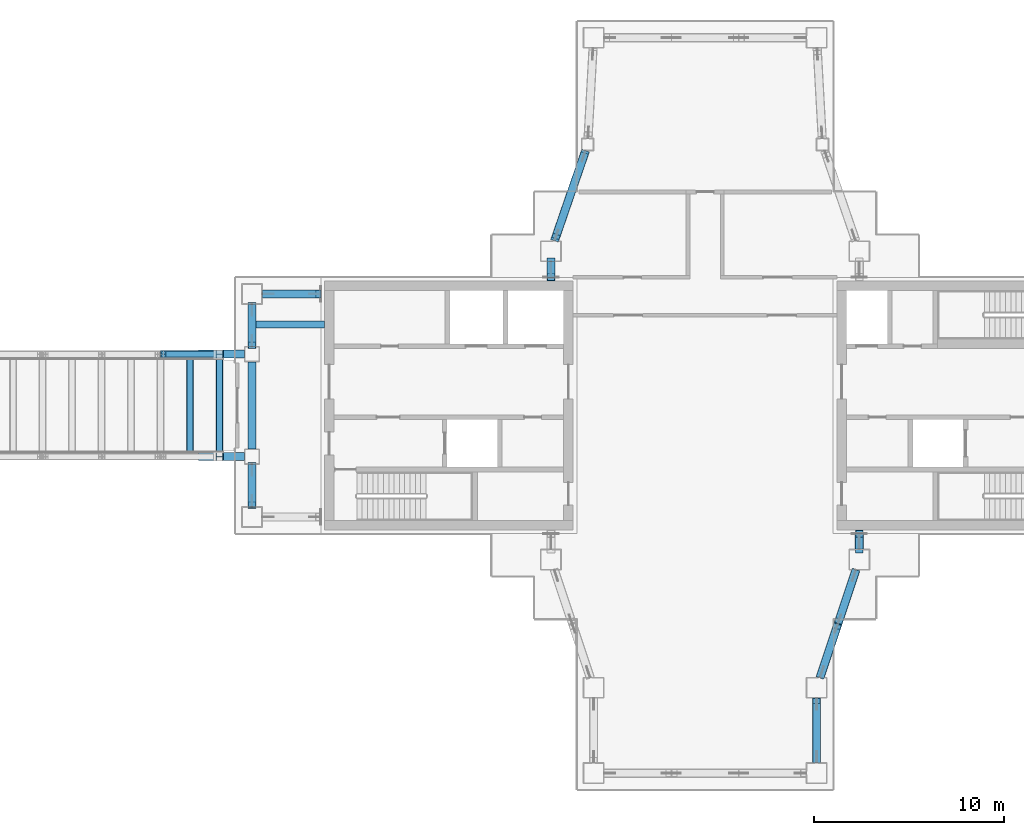
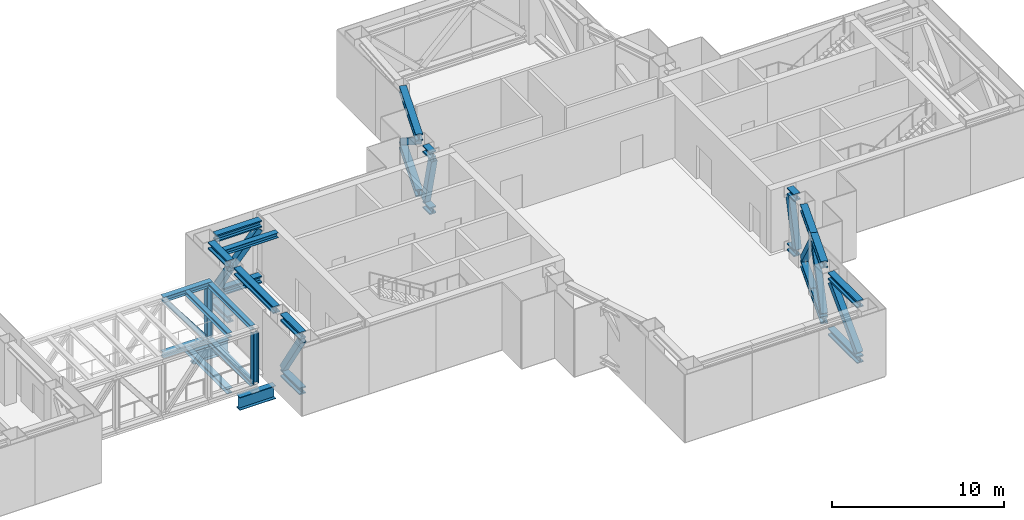
# One storey, part 6 of 21: 35 members, 5 beams.
"""IFC4 building model written with IfcOpenShell, lengths in metres."""

from ifc_helpers import new_model, si_unit, direction, frame, origin, origin_2d, place, context, subcontext, project, spatial, hollow_rectangle, i_section, extrude, material, material_profile, profile_set, type_object, element, save


model = new_model("IFC4")

# Units and contexts
model_context = context("Model", 3, precision=1e-05, world=origin(), true_north=direction((0.0, 1.0)))
body_context = subcontext(model_context, "Body", "Model", "MODEL_VIEW")
ifc_project = project(units=[si_unit("LENGTHUNIT", "METRE"), si_unit("AREAUNIT", "SQUARE_METRE"), si_unit("VOLUMEUNIT", "CUBIC_METRE"), si_unit("PLANEANGLEUNIT", "RADIAN"), si_unit("MASSUNIT", "GRAM", prefix="KILO")], contexts=[model_context])

# Site, building, storey
site_placement = place(None, origin())
site = spatial("IfcSite", under=ifc_project, at=site_placement, CompositionType="ELEMENT")
building_placement = place(site_placement, origin())
building = spatial("IfcBuilding", under=site, at=building_placement, Name="Shamsa Quay Exchange Towers", CompositionType="ELEMENT")
storey_placement = place(building_placement, frame((0.0, 0.0, 177.89990234375)))
storey = spatial("IfcBuildingStorey", under=building, at=storey_placement, Name="L42", CompositionType="ELEMENT", Elevation=177.89990234375)

# Members
ifc_material = material(Name="Steel S355", Category="steel")
ifc_material_profile_1 = material_profile(ifc_material, i_section(OverallWidth=0.418212890625, OverallDepth=0.9267578125, WebThickness=0.019287109375, FlangeThickness=0.031982421875, at=origin_2d()), Name="W36x231")
ifc_profile_set_1 = profile_set([ifc_material_profile_1], Name="Steel S355")
member_type_1 = type_object("IfcMemberType", Name="Bearing seat W36x231", PredefinedType="USERDEFINED", material=ifc_profile_set_1)
for number, where, z_axis, x_axis, name in (
    (1, (7.050048828125, -2.699951171875, -1.18115234375), (1.0, 0.0, 0.0), (0.0, 1.0, 0.0), "Bearing seat BR3 T2 S"),
    (2, (7.050048828125, 2.699951171875, -1.18115234375), (1.0, 0.0, 0.0), (0.0, 1.0, 0.0), "Bearing seat BR3 T2 N"),
):
    element("IfcMember", number, at=place(storey_placement, frame(where, z_axis=z_axis, x_axis=x_axis)), inside=storey, type_object=member_type_1, Name=name, ObjectType="BEARING SEAT", PredefinedType="USERDEFINED", context=body_context, shape_type="SweptSolid", body=[
        extrude(i_section(OverallWidth=0.418212890625, OverallDepth=0.9267578125, WebThickness=0.019287109375, FlangeThickness=0.031982421875, at=origin_2d()), origin(), (0.0, 0.0, 1.0), 2.425048828125),
    ])
ifc_material_profile_2 = material_profile(ifc_material, i_section(OverallWidth=0.43212890625, OverallDepth=0.497802734375, WebThickness=0.0556640625, FlangeThickness=0.0888671875, at=origin_2d()), Name="W14x500")
ifc_profile_set_2 = profile_set([ifc_material_profile_2], Name="Steel S355")
member_type_2 = type_object("IfcMemberType", Name="Belt chord W14x500", PredefinedType="CHORD", material=ifc_profile_set_2)
for number, where, z_axis, x_axis, name in (
    (3, (39.625, -18.824951171875, 4.201171875), (0.0, 1.0, 0.0), (-1.0, 0.0, 0.0), "Belt truss chord T2 L42 6"),
    (4, (39.625, -18.824951171875, 0.2490234375), (0.0, 1.0, 0.0), (-1.0, 0.0, 0.0), "Belt truss chord T2 L42 6"),
):
    element("IfcMember", number, at=place(storey_placement, frame(where, z_axis=z_axis, x_axis=x_axis)), inside=storey, type_object=member_type_2, Name=name, PredefinedType="CHORD", context=body_context, shape_type="SweptSolid", body=[
        extrude(i_section(OverallWidth=0.43212890625, OverallDepth=0.497802734375, WebThickness=0.0556640625, FlangeThickness=0.0888671875, at=origin_2d()), origin(), (0.0, 0.0, 1.0), 3.39990234375),
    ])
for number, where, z_axis, x_axis, name in (
    (5, (39.808349609375, -14.324951171875, 4.201171875), (0.316227766017, 0.948683298051, 0.0), (-0.948683298051, 0.316227766017, 0.0), "Belt truss chord T2 L42 7"),
    (6, (39.808349609375, -14.324951171875, 0.2490234375), (0.316227766017, 0.948683298051, 0.0), (-0.948683298051, 0.316227766017, 0.0), "Belt truss chord T2 L42 7"),
    (7, (40.75, -11.5, 4.201171875), (0.316227766017, 0.948683298051, 0.0), (-0.948683298051, 0.316227766017, 0.0), "Belt truss chord T2 L42 7"),
    (8, (40.75, -11.5, 0.2490234375), (0.316227766017, 0.948683298051, 0.0), (-0.948683298051, 0.316227766017, 0.0), "Belt truss chord T2 L42 7"),
):
    element("IfcMember", number, at=place(storey_placement, frame(where, z_axis=z_axis, x_axis=x_axis)), inside=storey, type_object=member_type_2, Name=name, PredefinedType="CHORD", context=body_context, shape_type="SweptSolid", body=[
        extrude(i_section(OverallWidth=0.43212890625, OverallDepth=0.497802734375, WebThickness=0.0556640625, FlangeThickness=0.0888671875, at=origin_2d()), origin(), (0.0, 0.0, 1.0), 2.977783203125),
    ])
for number, where, z_axis, x_axis, name in (
    (9, (27.450439453125, 13.425048828125, 4.201171875), (-0.325644702395, -0.945492214565, 0.0), (0.945492214565, -0.325644702395, 0.0), "Belt truss chord T2 L42 17"),
    (10, (27.450439453125, 13.425048828125, 0.2490234375), (-0.325644702395, -0.945492214565, 0.0), (0.945492214565, -0.325644702395, 0.0), "Belt truss chord T2 L42 17"),
):
    element("IfcMember", number, at=place(storey_placement, frame(where, z_axis=z_axis, x_axis=x_axis)), inside=storey, type_object=member_type_2, Name=name, PredefinedType="CHORD", context=body_context, shape_type="SweptSolid", body=[
        extrude(i_section(OverallWidth=0.43212890625, OverallDepth=0.497802734375, WebThickness=0.0556640625, FlangeThickness=0.0888671875, at=origin_2d()), origin(), (0.0, 0.0, 1.0), 5.02392578125),
    ])
for number, where, z_axis, x_axis, name in (
    (11, (9.875, 5.324951171875, 4.201171875), (0.0, -1.0, 0.0), (1.0, 0.0, 0.0), "Belt truss chord T2 L42 20"),
    (12, (9.875, 5.324951171875, 0.2490234375), (0.0, -1.0, 0.0), (1.0, 0.0, 0.0), "Belt truss chord T2 L42 20"),
    (13, (9.875, -3.10009765625, 4.201171875), (0.0, -1.0, 0.0), (1.0, 0.0, 0.0), "Belt truss chord T2 L42 21"),
    (14, (9.875, -3.10009765625, 0.2490234375), (0.0, -1.0, 0.0), (1.0, 0.0, 0.0), "Belt truss chord T2 L42 21"),
):
    element("IfcMember", number, at=place(storey_placement, frame(where, z_axis=z_axis, x_axis=x_axis)), inside=storey, type_object=member_type_2, Name=name, PredefinedType="CHORD", context=body_context, shape_type="SweptSolid", body=[
        extrude(i_section(OverallWidth=0.43212890625, OverallDepth=0.497802734375, WebThickness=0.0556640625, FlangeThickness=0.0888671875, at=origin_2d()), origin(), (0.0, 0.0, 1.0), 2.224853515625),
    ])
member_1_placement = place(storey_placement, frame((9.875, -2.300048828125, 4.201171875), z_axis=(0.0, 1.0, 0.0), x_axis=(-1.0, 0.0, 0.0)))
element("IfcMember", 15, at=member_1_placement, inside=storey, type_object=member_type_2, Name="Belt truss chord T2 L42 22", PredefinedType="CHORD", context=body_context, shape_type="SweptSolid", body=[
    extrude(i_section(OverallWidth=0.43212890625, OverallDepth=0.497802734375, WebThickness=0.0556640625, FlangeThickness=0.0888671875, at=origin_2d()), origin(), (0.0, 0.0, 1.0), 4.60009765625),
])
ifc_material_profile_3 = material_profile(ifc_material, hollow_rectangle(XDim=0.406494140625, YDim=0.406494140625, WallThickness=0.015869140625, at=origin_2d()), Name="HSS16x16x5/8")
ifc_profile_set_3 = profile_set([ifc_material_profile_3], Name="Steel S355")
member_type_3 = type_object("IfcMemberType", Name="Belt diagonal HSS16x16x5/8", PredefinedType="BRACE", material=ifc_profile_set_3)
member_2_placement = place(storey_placement, frame((39.625, -18.684814453125, 0.640380859375), z_axis=(0.0, 0.701485026186, 0.712684192358), x_axis=(-1.0, 0.0, 0.0)))
element("IfcMember", 16, at=member_2_placement, inside=storey, type_object=member_type_3, Name="Belt truss diagonal T2 L42 6", PredefinedType="BRACE", context=body_context, shape_type="SweptSolid", body=[
    extrude(hollow_rectangle(XDim=0.406494140625, YDim=0.406494140625, WallThickness=0.015869140625, at=origin_2d()), origin(), (0.0, 0.0, 1.0), 4.447265625),
])
for number, where, z_axis, x_axis, name in (
    (17, (39.844482421875, -14.216552734375, 0.630615234375), (0.206483170134, 0.619449510403, 0.757394880173), (-0.948683298051, 0.316227766017, 0.0), "Belt truss diagonal T2 L42 7"),
    (18, (41.655517578125, -8.783447265625, 0.630615234375), (-0.206483170134, -0.619449510403, 0.757394880173), (0.948683298051, -0.316227766017, 0.0), "Belt truss diagonal T2 L42 7"),
):
    element("IfcMember", number, at=place(storey_placement, frame(where, z_axis=z_axis, x_axis=x_axis)), inside=storey, type_object=member_type_3, Name=name, PredefinedType="BRACE", context=body_context, shape_type="SweptSolid", body=[
        extrude(hollow_rectangle(XDim=0.406494140625, YDim=0.406494140625, WallThickness=0.015869140625, at=origin_2d()), origin(), (0.0, 0.0, 1.0), 4.21044921875),
    ])
member_3_placement = place(storey_placement, frame((27.371337890625, 13.19482421875, 0.665283203125), z_axis=(-0.268353303988, -0.779075933751, 0.566592617044), x_axis=(0.945482725754, -0.325672251352, 0.0)))
element("IfcMember", 19, at=member_3_placement, inside=storey, type_object=member_type_3, Name="Belt truss diagonal T2 L42 17", PredefinedType="BRACE", context=body_context, shape_type="SweptSolid", body=[
    extrude(hollow_rectangle(XDim=0.406494140625, YDim=0.406494140625, WallThickness=0.015869140625, at=origin_2d()), origin(), (0.0, 0.0, 1.0), 5.505859375),
])
for number, where, z_axis, x_axis, name in (
    (20, (9.875, 5.254150390625, 0.60791015625), (0.0, -0.541495064821, 0.840703928131), (1.0, 0.0, 0.0), "Belt truss diagonal T2 L42 20"),
    (21, (9.875, -3.1708984375, 0.60791015625), (0.0, -0.541495064821, 0.840703928131), (1.0, 0.0, 0.0), "Belt truss diagonal T2 L42 21"),
):
    element("IfcMember", number, at=place(storey_placement, frame(where, z_axis=z_axis, x_axis=x_axis)), inside=storey, type_object=member_type_3, Name=name, PredefinedType="BRACE", context=body_context, shape_type="SweptSolid", body=[
        extrude(hollow_rectangle(XDim=0.406494140625, YDim=0.406494140625, WallThickness=0.015869140625, at=origin_2d()), origin(), (0.0, 0.0, 1.0), 3.84716796875),
    ])

# Beam
ifc_material_profile_4 = material_profile(ifc_material, i_section(OverallWidth=0.368896484375, OverallDepth=0.356201171875, WebThickness=0.01123046875, FlangeThickness=0.01806640625, at=origin_2d()), Name="W14x90")
ifc_profile_set_4 = profile_set([ifc_material_profile_4], Name="Steel S355")
beam_type_1 = type_object("IfcBeamType", Name="End-zone beam W14x90", PredefinedType="BEAM", material=ifc_profile_set_4)
beam_placement = place(storey_placement, frame((13.699951171875, 4.27490234375, 4.27197265625), z_axis=(-1.0, 0.0, 0.0), x_axis=(0.0, -1.0, 0.0)))
element("IfcBeam", 22, at=beam_placement, inside=storey, type_object=beam_type_1, Name="Spine beam T2 V+ end zone L42", PredefinedType="BEAM", context=body_context, shape_type="SweptSolid", body=[
    extrude(i_section(OverallWidth=0.368896484375, OverallDepth=0.356201171875, WebThickness=0.01123046875, FlangeThickness=0.01806640625, at=origin_2d()), origin(), (0.0, 0.0, 1.0), 3.60888671875),
])

# Members
ifc_material_profile_5 = material_profile(ifc_material, i_section(OverallWidth=0.43212890625, OverallDepth=0.497802734375, WebThickness=0.0556640625, FlangeThickness=0.0888671875, at=origin_2d()), Name="W14x500")
ifc_profile_set_5 = profile_set([ifc_material_profile_5], Name="Steel S355")
member_type_4 = type_object("IfcMemberType", Name="Outrigger chord W14x500", PredefinedType="CHORD", material=ifc_profile_set_5)
for number, where, z_axis, x_axis, name in (
    (23, (41.875, -7.574951171875, 4.201171875), (0.0, 1.0, 0.0), (-1.0, 0.0, 0.0), "Outrigger truss chord T2 L42 8"),
    (24, (41.875, -7.574951171875, 0.2490234375), (0.0, 1.0, 0.0), (-1.0, 0.0, 0.0), "Outrigger truss chord T2 L42 8"),
    (25, (25.625, 7.574951171875, 4.201171875), (0.0, -1.0, 0.0), (1.0, 0.0, 0.0), "Outrigger truss chord T2 L42 18"),
    (26, (25.625, 7.574951171875, 0.2490234375), (0.0, -1.0, 0.0), (1.0, 0.0, 0.0), "Outrigger truss chord T2 L42 18"),
):
    element("IfcMember", number, at=place(storey_placement, frame(where, z_axis=z_axis, x_axis=x_axis)), inside=storey, type_object=member_type_4, Name=name, PredefinedType="CHORD", context=body_context, shape_type="SweptSolid", body=[
        extrude(i_section(OverallWidth=0.43212890625, OverallDepth=0.497802734375, WebThickness=0.0556640625, FlangeThickness=0.0888671875, at=origin_2d()), origin(), (0.0, 0.0, 1.0), 0.824951171875),
    ])
for number, where, z_axis, x_axis, name in (
    (27, (10.425048828125, 5.875, 4.201171875), (1.0, 0.0, 0.0), (0.0, 1.0, 0.0), "Outrigger truss chord T2 L42 19"),
    (28, (10.425048828125, 5.875, 0.2490234375), (1.0, 0.0, 0.0), (0.0, 1.0, 0.0), "Outrigger truss chord T2 L42 19"),
):
    element("IfcMember", number, at=place(storey_placement, frame(where, z_axis=z_axis, x_axis=x_axis)), inside=storey, type_object=member_type_4, Name=name, PredefinedType="CHORD", context=body_context, shape_type="SweptSolid", body=[
        extrude(i_section(OverallWidth=0.43212890625, OverallDepth=0.497802734375, WebThickness=0.0556640625, FlangeThickness=0.0888671875, at=origin_2d()), origin(), (0.0, 0.0, 1.0), 3.074951171875),
    ])
ifc_material_profile_6 = material_profile(ifc_material, hollow_rectangle(XDim=0.406494140625, YDim=0.406494140625, WallThickness=0.015869140625, at=origin_2d()), Name="HSS16x16x5/8")
ifc_profile_set_6 = profile_set([ifc_material_profile_6], Name="Steel S355")
member_type_5 = type_object("IfcMemberType", Name="Outrigger diagonal HSS16x16x5/8", PredefinedType="BRACE", material=ifc_profile_set_6)
for number, where, z_axis, x_axis, name in (
    (29, (41.875, -7.563720703125, 0.545166015625), (0.0, 0.232311606124, 0.97264141268), (-1.0, 0.0, 0.0), "Outrigger truss diagonal T2 L42 8"),
    (30, (25.625, 7.563720703125, 0.545166015625), (0.0, -0.232311606124, 0.97264141268), (1.0, 0.0, 0.0), "Outrigger truss diagonal T2 L42 18"),
):
    element("IfcMember", number, at=place(storey_placement, frame(where, z_axis=z_axis, x_axis=x_axis)), inside=storey, type_object=member_type_5, Name=name, PredefinedType="BRACE", context=body_context, shape_type="SweptSolid", body=[
        extrude(hollow_rectangle(XDim=0.406494140625, YDim=0.406494140625, WallThickness=0.015869140625, at=origin_2d()), origin(), (0.0, 0.0, 1.0), 3.454345703125),
    ])
member_4_placement = place(storey_placement, frame((10.545166015625, 5.875, 0.633056640625), z_axis=(0.664911088094, 0.0, 0.746922516014), x_axis=(0.0, 1.0, 0.0)))
element("IfcMember", 31, at=member_4_placement, inside=storey, type_object=member_type_5, Name="Outrigger truss diagonal T2 L42 19", PredefinedType="BRACE", context=body_context, shape_type="SweptSolid", body=[
    extrude(hollow_rectangle(XDim=0.406494140625, YDim=0.406494140625, WallThickness=0.015869140625, at=origin_2d()), origin(), (0.0, 0.0, 1.0), 4.262939453125),
])
ifc_material_profile_7 = material_profile(ifc_material, i_section(OverallWidth=0.37255859375, OverallDepth=0.367919921875, WebThickness=0.014892578125, FlangeThickness=0.02392578125, at=origin_2d()), Name="W14x120")
ifc_profile_set_7 = profile_set([ifc_material_profile_7], Name="Steel S355")
member_type_6 = type_object("IfcMemberType", Name="Skybridge chord W14x120", PredefinedType="CHORD", material=ifc_profile_set_7)
for number, where, z_axis, x_axis, name in (
    (32, (5.056884765625, 2.699951171875, 3.6240234375), (1.0, 0.0, 0.0), (0.0, 1.0, 0.0), "Skybridge BR3 truss N top chord"),
    (33, (5.056884765625, 2.699951171875, -0.333740234375), (1.0, 0.0, 0.0), (0.0, 1.0, 0.0), "Skybridge BR3 truss N bottom chord"),
):
    element("IfcMember", number, at=place(storey_placement, frame(where, z_axis=z_axis, x_axis=x_axis)), inside=storey, type_object=member_type_6, Name=name, PredefinedType="CHORD", context=body_context, shape_type="SweptSolid", body=[
        extrude(i_section(OverallWidth=0.37255859375, OverallDepth=0.367919921875, WebThickness=0.014892578125, FlangeThickness=0.02392578125, at=origin_2d()), origin(), (0.0, 0.0, 1.0), 3.293212890625),
    ])
ifc_material_profile_8 = material_profile(ifc_material, i_section(OverallWidth=0.3046875, OverallDepth=0.307861328125, WebThickness=0.010009765625, FlangeThickness=0.015380859375, at=origin_2d()), Name="W12x65")
ifc_profile_set_8 = profile_set([ifc_material_profile_8], Name="Steel S355")
member_type_7 = type_object("IfcMemberType", Name="Skybridge diagonal W12x65", PredefinedType="BRACE", material=ifc_profile_set_8)
member_5_placement = place(storey_placement, frame((5.21826171875, 2.699951171875, 3.440185546875), z_axis=(0.609387599693, 0.0, -0.792872469783), x_axis=(0.0, 1.0, 0.0)))
element("IfcMember", 34, at=member_5_placement, inside=storey, type_object=member_type_7, Name="Skybridge BR3 truss N diagonal", PredefinedType="BRACE", context=body_context, shape_type="SweptSolid", body=[
    extrude(i_section(OverallWidth=0.3046875, OverallDepth=0.307861328125, WebThickness=0.010009765625, FlangeThickness=0.015380859375, at=origin_2d()), origin(), (0.0, 0.0, 1.0), 4.52783203125),
])
ifc_material_profile_9 = material_profile(ifc_material, i_section(OverallWidth=0.3740234375, OverallDepth=0.372314453125, WebThickness=0.016357421875, FlangeThickness=0.026123046875, at=origin_2d()), Name="W14x132")
ifc_profile_set_9 = profile_set([ifc_material_profile_9], Name="Steel S355")
member_type_8 = type_object("IfcMemberType", Name="Skybridge end post W14x132", PredefinedType="POST", material=ifc_profile_set_9)
for number, where, z_axis, x_axis, name in (
    (35, (8.163818359375, -2.699951171875, -0.14990234375), (0.0, 0.0, 1.0), (0.0, 1.0, 0.0), "Skybridge BR3 truss S post"),
    (36, (8.163818359375, 2.699951171875, -0.14990234375), (0.0, 0.0, 1.0), (0.0, 1.0, 0.0), "Skybridge BR3 truss N post"),
):
    element("IfcMember", number, at=place(storey_placement, frame(where, z_axis=z_axis, x_axis=x_axis)), inside=storey, type_object=member_type_8, Name=name, PredefinedType="POST", context=body_context, shape_type="SweptSolid", body=[
        extrude(i_section(OverallWidth=0.3740234375, OverallDepth=0.372314453125, WebThickness=0.016357421875, FlangeThickness=0.026123046875, at=origin_2d()), origin(), (0.0, 0.0, 1.0), 3.590087890625),
    ])

# Beams
ifc_material_profile_10 = material_profile(ifc_material, i_section(OverallWidth=0.368896484375, OverallDepth=0.356201171875, WebThickness=0.01123046875, FlangeThickness=0.01806640625, at=origin_2d()), Name="W14x90")
ifc_profile_set_10 = profile_set([ifc_material_profile_10], Name="Steel S355")
beam_type_2 = type_object("IfcBeamType", Name="Skybridge floor beam W14x90", PredefinedType="BEAM", material=ifc_profile_set_10)
for number, where, z_axis, x_axis, name in (
    (37, (6.6103515625, -2.513671875, -0.327880859375), (0.0, 1.0, 0.0), (-1.0, 0.0, 0.0), "Skybridge BR3 floor beam"),
    (38, (8.163818359375, -2.513671875, -0.327880859375), (0.0, 1.0, 0.0), (-1.0, 0.0, 0.0), "Skybridge BR3 floor beam"),
):
    element("IfcBeam", number, at=place(storey_placement, frame(where, z_axis=z_axis, x_axis=x_axis)), inside=storey, type_object=beam_type_2, Name=name, PredefinedType="BEAM", context=body_context, shape_type="SweptSolid", body=[
        extrude(i_section(OverallWidth=0.368896484375, OverallDepth=0.356201171875, WebThickness=0.01123046875, FlangeThickness=0.01806640625, at=origin_2d()), origin(), (0.0, 0.0, 1.0), 5.02734375),
    ])
ifc_material_profile_11 = material_profile(ifc_material, i_section(OverallWidth=0.3046875, OverallDepth=0.307861328125, WebThickness=0.010009765625, FlangeThickness=0.015380859375, at=origin_2d()), Name="W12x65")
ifc_profile_set_11 = profile_set([ifc_material_profile_11], Name="Steel S355")
beam_type_3 = type_object("IfcBeamType", Name="Skybridge roof beam W12x65", PredefinedType="BEAM", material=ifc_profile_set_11)
for number, where, z_axis, x_axis, name in (
    (39, (6.6103515625, -2.513671875, 3.654052734375), (0.0, 1.0, 0.0), (-1.0, 0.0, 0.0), "Skybridge BR3 roof beam"),
    (40, (8.163818359375, -2.513671875, 3.654052734375), (0.0, 1.0, 0.0), (-1.0, 0.0, 0.0), "Skybridge BR3 roof beam"),
):
    element("IfcBeam", number, at=place(storey_placement, frame(where, z_axis=z_axis, x_axis=x_axis)), inside=storey, type_object=beam_type_3, Name=name, PredefinedType="BEAM", context=body_context, shape_type="SweptSolid", body=[
        extrude(i_section(OverallWidth=0.3046875, OverallDepth=0.307861328125, WebThickness=0.010009765625, FlangeThickness=0.015380859375, at=origin_2d()), origin(), (0.0, 0.0, 1.0), 5.02734375),
    ])

save(model, "model.ifc")
